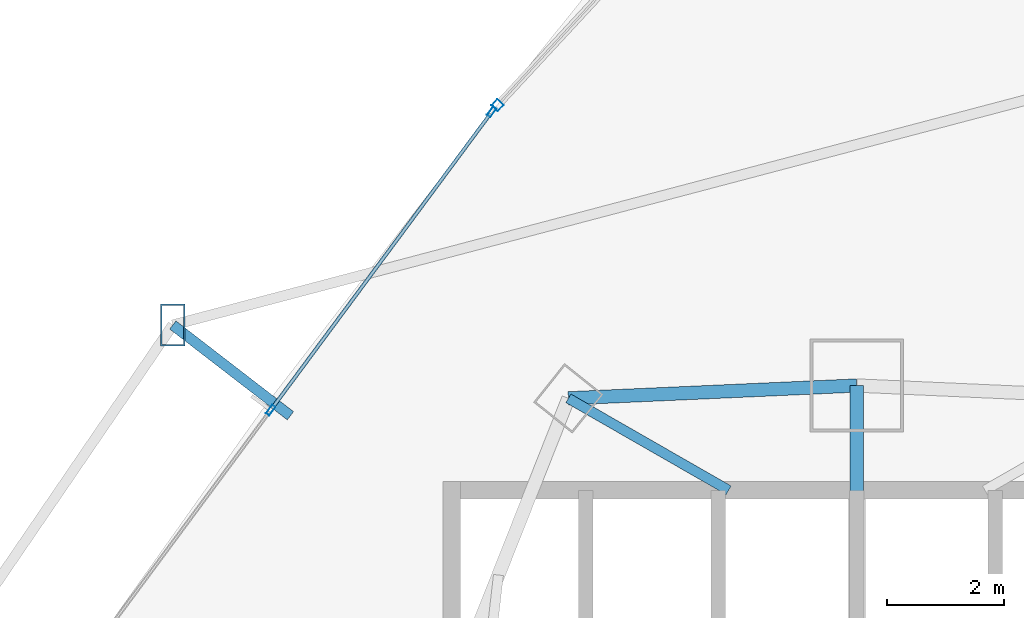
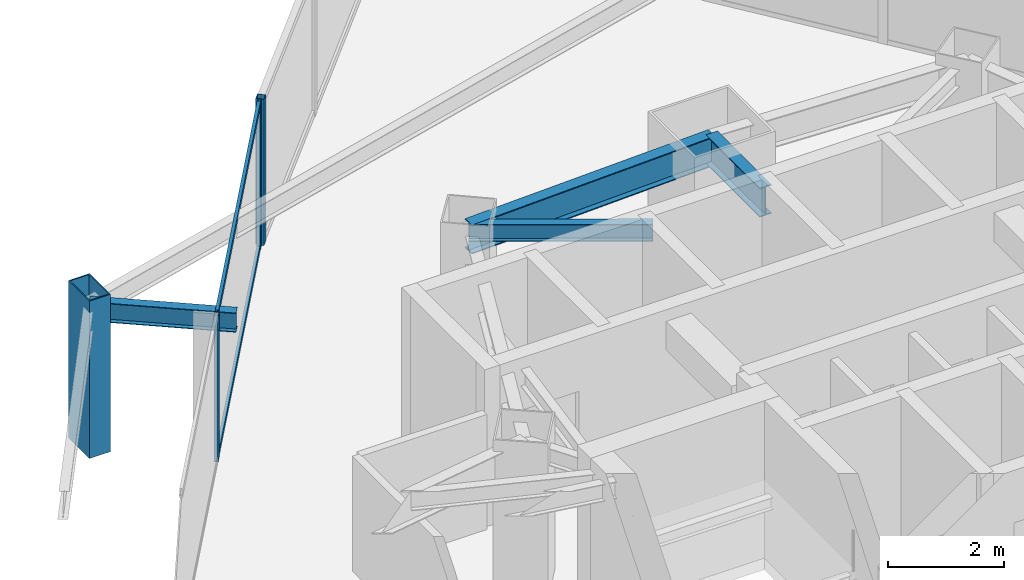
# One storey, part 25 of 38: 6 members, 4 beams, 2 elements without a shape of their own.
"""IFC4 building model written with IfcOpenShell, lengths in metres."""

from ifc_helpers import new_model, si_unit, direction, frame, origin, origin_2d, place, context, subcontext, project, spatial, hollow_rectangle, i_section, extrude, material, layer, layer_set, material_profile, profile_set, type_object, element, aggregate, save


model = new_model("IFC4")

# Units and contexts
model_context = context("Model", 3, precision=1e-05, world=origin(), true_north=direction((0.0, 1.0)))
body_context = subcontext(model_context, "Body", "Model", "MODEL_VIEW")
ifc_project = project(units=[si_unit("LENGTHUNIT", "METRE"), si_unit("AREAUNIT", "SQUARE_METRE"), si_unit("VOLUMEUNIT", "CUBIC_METRE"), si_unit("PLANEANGLEUNIT", "RADIAN"), si_unit("MASSUNIT", "GRAM", prefix="KILO")], contexts=[model_context])

# Site, building, storey
site_placement = place(None, origin())
site = spatial("IfcSite", under=ifc_project, at=site_placement, CompositionType="ELEMENT")
building_placement = place(site_placement, origin())
building = spatial("IfcBuilding", under=site, at=building_placement, Name="Orvanel Arch Residences", CompositionType="ELEMENT")
storey_placement = place(building_placement, frame((0.0, 0.0, 46.699951171875)))
storey = spatial("IfcBuildingStorey", under=building, at=storey_placement, Name="L12", CompositionType="ELEMENT", Elevation=46.699951171875)

# Beams
ifc_material_1 = material(Name="Structural steel AS/NZS 3679.1 Grade 300 (300 MPa)", Category="steel")
ifc_material_profile_1 = material_profile(ifc_material_1, i_section(OverallWidth=0.22900390625, OverallDepth=0.612060546875, WebThickness=0.011962890625, FlangeThickness=0.01953125, at=origin_2d()), Name="610UB125")
ifc_profile_set_1 = profile_set([ifc_material_profile_1], Name="Structural steel AS/NZS 3679.1 Grade 300 (300 MPa)")
beam_type_1 = type_object("IfcBeamType", Name="BG-610UB", PredefinedType="BEAM", material=ifc_profile_set_1)
beam_1_placement = place(storey_placement, frame((33.0, 39.550048828125, 2.754150390625), z_axis=(0.0, 1.0, 0.0), x_axis=(-1.0, 0.0, 0.0)))
element("IfcBeam", 1, at=beam_1_placement, inside=storey, type_object=beam_type_1, Name="L12 North Radial Girder", PredefinedType="BEAM", context=body_context, shape_type="SweptSolid", body=[
    extrude(i_section(OverallWidth=0.22900390625, OverallDepth=0.612060546875, WebThickness=0.011962890625, FlangeThickness=0.01953125, at=origin_2d()), origin(), (0.0, 0.0, 1.0), 1.847900390625),
])
ifc_material_profile_2 = material_profile(ifc_material_1, i_section(OverallWidth=0.1708984375, OverallDepth=0.35595703125, WebThickness=0.00732421875, FlangeThickness=0.011474609375, at=origin_2d()), Name="360UB50.7")
ifc_profile_set_2 = profile_set([ifc_material_profile_2], Name="Structural steel AS/NZS 3679.1 Grade 300 (300 MPa)")
beam_type_2 = type_object("IfcBeamType", Name="BJ-360UB", PredefinedType="JOIST", material=ifc_profile_set_2)
beam_2_placement = place(storey_placement, frame((30.800048828125, 39.60009765625, 2.882080078125), z_axis=(-0.86736513383, 0.497672306458, 0.0), x_axis=(-0.497672306458, -0.86736513383, 0.0)))
element("IfcBeam", 2, at=beam_2_placement, inside=storey, type_object=beam_type_2, Name="L12 MNW Wing Floor Joist", PredefinedType="JOIST", context=body_context, shape_type="SweptSolid", body=[
    extrude(i_section(OverallWidth=0.1708984375, OverallDepth=0.35595703125, WebThickness=0.00732421875, FlangeThickness=0.011474609375, at=origin_2d()), origin(), (0.0, 0.0, 1.0), 3.17041015625),
])

# Member
ifc_material_2 = material(Name="Structural steel AS/NZS 3678 Grade 350", Category="steel")
ifc_material_profile_3 = material_profile(ifc_material_2, hollow_rectangle(XDim=0.419921875, YDim=0.719970703125, WallThickness=0.02490234375, at=origin_2d()), Name="RHS720x420x25")
ifc_profile_set_3 = profile_set([ifc_material_profile_3], Name="Structural steel AS/NZS 3678 Grade 350")
member_type_1 = type_object("IfcMemberType", Name="CH-720RHS-EXT", PredefinedType="CHORD", material=ifc_profile_set_3)
member_1_placement = place(storey_placement, frame((21.259033203125, 42.43701171875, 0.0), z_axis=(0.0, 0.0, 1.0), x_axis=(1.0, 0.0, 0.0)))
element("IfcMember", 3, at=member_1_placement, inside=storey, type_object=member_type_1, Name="L12 Outer Perimeter Frame Post 01", PredefinedType="CHORD", context=body_context, shape_type="SweptSolid", body=[
    extrude(hollow_rectangle(XDim=0.419921875, YDim=0.719970703125, WallThickness=0.02490234375, at=origin_2d()), origin(), (0.0, 0.0, 1.0), 3.300048828125),
])

# Curtain wall, member
ifc_material_3 = material(Name="Bronze-anodised aluminium AA6063-T6", Category="aluminium")
ifc_layer_1 = layer(ifc_material_3, 0.18994140625)
ifc_layer_set_1 = layer_set([ifc_layer_1], Name="Bronze-anodised aluminium AA6063-T6")
curtain_wall_type_1 = type_object("IfcCurtainWallType", Name="CW5-CRN-SYS", PredefinedType="NOTDEFINED", material=ifc_layer_set_1)
curtain_wall_1_placement = place(storey_placement, origin())
curtain_wall_1 = element("IfcCurtainWall", 4, at=curtain_wall_1_placement, inside=storey, type_object=curtain_wall_type_1, Name="L12 CW5-CRN-SYS Unitised Curtain Wall", PredefinedType="NOTDEFINED")
ifc_material_profile_4 = material_profile(ifc_material_3, hollow_rectangle(XDim=0.14990234375, YDim=0.14990234375, WallThickness=0.0048828125, at=origin_2d()), Name="ALU150x150x5")
ifc_profile_set_4 = profile_set([ifc_material_profile_4], Name="Bronze-anodised aluminium AA6063-T6")
member_type_2 = type_object("IfcMemberType", Name="MUL-150x150", PredefinedType="MULLION", material=ifc_profile_set_4)
member_2_placement = place(storey_placement, frame((26.83203125, 46.208984375, 0.0), z_axis=(0.0, 0.0, 1.0), x_axis=(0.733235518375, -0.679974760262, 0.0)))
member_2 = element("IfcMember", 5, at=member_2_placement, type_object=member_type_2, Name="CW-S5 mullion 3", PredefinedType="MULLION", context=body_context, shape_type="SweptSolid", body=[
    extrude(hollow_rectangle(XDim=0.14990234375, YDim=0.14990234375, WallThickness=0.0048828125, at=origin_2d()), origin(), (0.0, 0.0, 1.0), 3.06005859375),
])
aggregate(curtain_wall_1, [member_2])

# Curtain wall, members
ifc_layer_2 = layer(ifc_material_3, 0.179931640625)
ifc_layer_set_2 = layer_set([ifc_layer_2], Name="Bronze-anodised aluminium AA6063-T6")
curtain_wall_type_2 = type_object("IfcCurtainWallType", Name="CW2-LOW-SYS", PredefinedType="NOTDEFINED", material=ifc_layer_set_2)
curtain_wall_2_placement = place(storey_placement, origin())
curtain_wall_2 = element("IfcCurtainWall", 6, at=curtain_wall_2_placement, inside=storey, type_object=curtain_wall_type_2, Name="L12 CW2-LOW-SYS Unitised Curtain Wall", PredefinedType="NOTDEFINED")
ifc_material_profile_5 = material_profile(ifc_material_3, hollow_rectangle(XDim=0.070068359375, YDim=0.179931640625, WallThickness=0.00439453125, at=origin_2d()), Name="ALU180x70x4.5")
ifc_profile_set_5 = profile_set([ifc_material_profile_5], Name="Bronze-anodised aluminium AA6063-T6")
member_type_3 = type_object("IfcMemberType", Name="MUL-180x70", PredefinedType="MULLION", material=ifc_profile_set_5)
member_3_placement = place(storey_placement, frame((26.734130859375, 46.094970703125, 0.0), z_axis=(0.0, 0.0, 1.0), x_axis=(0.803367768067, -0.595483189714, 0.0)))
member_3 = element("IfcMember", 7, at=member_3_placement, type_object=member_type_3, Name="CW-S2 mullion 1", PredefinedType="MULLION", context=body_context, shape_type="SweptSolid", body=[
    extrude(hollow_rectangle(XDim=0.070068359375, YDim=0.179931640625, WallThickness=0.00439453125, at=origin_2d()), origin(), (0.0, 0.0, 1.0), 3.06005859375),
])
member_4_placement = place(storey_placement, frame((22.939453125, 40.9755859375, 0.0), z_axis=(0.0, 0.0, 1.0), x_axis=(0.803367768067, -0.595483189714, 0.0)))
member_4 = element("IfcMember", 8, at=member_4_placement, type_object=member_type_3, Name="CW-S2 mullion 2", PredefinedType="MULLION", context=body_context, shape_type="SweptSolid", body=[
    extrude(hollow_rectangle(XDim=0.070068359375, YDim=0.179931640625, WallThickness=0.00439453125, at=origin_2d()), origin(), (0.0, 0.0, 1.0), 3.06005859375),
])

# Beams
ifc_material_profile_6 = material_profile(ifc_material_1, i_section(OverallWidth=0.177978515625, OverallDepth=0.406005859375, WebThickness=0.0078125, FlangeThickness=0.0126953125, at=origin_2d()), Name="410UB59.7")
ifc_profile_set_6 = profile_set([ifc_material_profile_6], Name="Structural steel AS/NZS 3679.1 Grade 300 (300 MPa)")
beam_type_3 = type_object("IfcBeamType", Name="OB-410UB-EXT", PredefinedType="SPANDREL", material=ifc_profile_set_6)
beam_3_placement = place(storey_placement, frame((23.278076171875, 40.87890625, 2.85693359375), z_axis=(-0.791676422795, 0.610940620348, 0.0), x_axis=(-0.610940620348, -0.791676422795, 0.0)))
element("IfcBeam", 9, at=beam_3_placement, inside=storey, type_object=beam_type_3, Name="L12 Outer Frame Radial Tie Beam 01", PredefinedType="SPANDREL", context=body_context, shape_type="SweptSolid", body=[
    extrude(i_section(OverallWidth=0.177978515625, OverallDepth=0.406005859375, WebThickness=0.0078125, FlangeThickness=0.0126953125, at=origin_2d()), origin(), (0.0, 0.0, 1.0), 2.55029296875),
])
ifc_material_profile_7 = material_profile(ifc_material_1, i_section(OverallWidth=0.22900390625, OverallDepth=0.612060546875, WebThickness=0.011962890625, FlangeThickness=0.01953125, at=origin_2d()), Name="610UB125")
ifc_profile_set_7 = profile_set([ifc_material_profile_7], Name="Structural steel AS/NZS 3679.1 Grade 300 (300 MPa)")
beam_type_4 = type_object("IfcBeamType", Name="SP-610UB", PredefinedType="SPANDREL", material=ifc_profile_set_7)
beam_4_placement = place(storey_placement, frame((33.0, 41.39794921875, 2.754150390625), z_axis=(-0.999014049296, -0.044395149614, 0.0), x_axis=(0.044395149614, -0.999014049296, 0.0)))
element("IfcBeam", 10, at=beam_4_placement, inside=storey, type_object=beam_type_4, Name="L12 Perimeter Spandrel Beam 17", PredefinedType="SPANDREL", context=body_context, shape_type="SweptSolid", body=[
    extrude(i_section(OverallWidth=0.22900390625, OverallDepth=0.612060546875, WebThickness=0.011962890625, FlangeThickness=0.01953125, at=origin_2d()), origin(), (0.0, 0.0, 1.0), 4.954833984375),
])

# Member
ifc_material_profile_8 = material_profile(ifc_material_3, hollow_rectangle(XDim=0.06005859375, YDim=0.135009765625, WallThickness=0.00390625, at=origin_2d()), Name="ALU135x60x4")
ifc_profile_set_8 = profile_set([ifc_material_profile_8], Name="Bronze-anodised aluminium AA6063-T6")
member_type_4 = type_object("IfcMemberType", Name="TRN-135x60", PredefinedType="USERDEFINED", material=ifc_profile_set_8)
member_5_placement = place(storey_placement, frame((26.71337890625, 46.066650390625, 0.030029296875), z_axis=(-0.595490625908, -0.803362256056, 0.0), x_axis=(0.803362256056, -0.595490625908, 0.0)))
member_5 = element("IfcMember", 11, at=member_5_placement, type_object=member_type_4, Name="CW-S2 transom 1.1", ObjectType="TRANSOM", PredefinedType="USERDEFINED", context=body_context, shape_type="SweptSolid", body=[
    extrude(hollow_rectangle(XDim=0.06005859375, YDim=0.135009765625, WallThickness=0.00390625, at=origin_2d()), origin(), (0.0, 0.0, 1.0), 6.30224609375),
])

member_6_placement = place(storey_placement, frame((26.71337890625, 46.066650390625, 3.030029296875), z_axis=(-0.595490625908, -0.803362256056, 0.0), x_axis=(0.803362256056, -0.595490625908, 0.0)))
member_6 = element("IfcMember", 12, at=member_6_placement, type_object=member_type_4, Name="CW-S2 transom 1.2", ObjectType="TRANSOM", PredefinedType="USERDEFINED", context=body_context, shape_type="SweptSolid", body=[
    extrude(hollow_rectangle(XDim=0.06005859375, YDim=0.135009765625, WallThickness=0.00390625, at=origin_2d()), origin(), (0.0, 0.0, 1.0), 6.30224609375),
])

aggregate(curtain_wall_2, [member_3, member_4, member_5, member_6])

save(model, "model.ifc")
